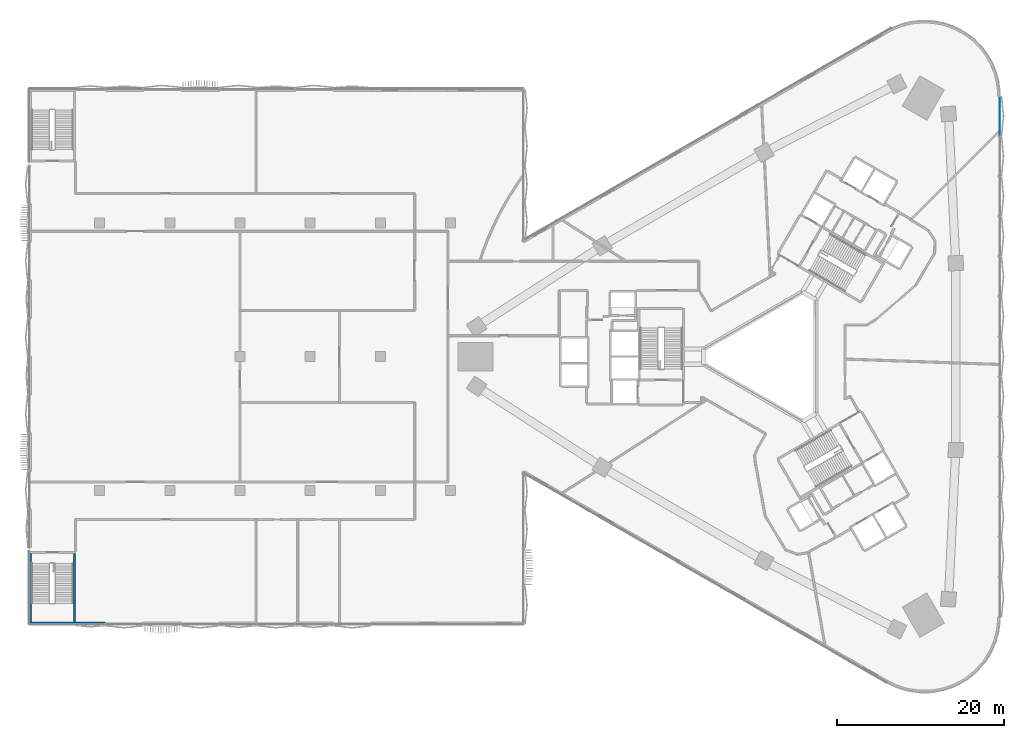
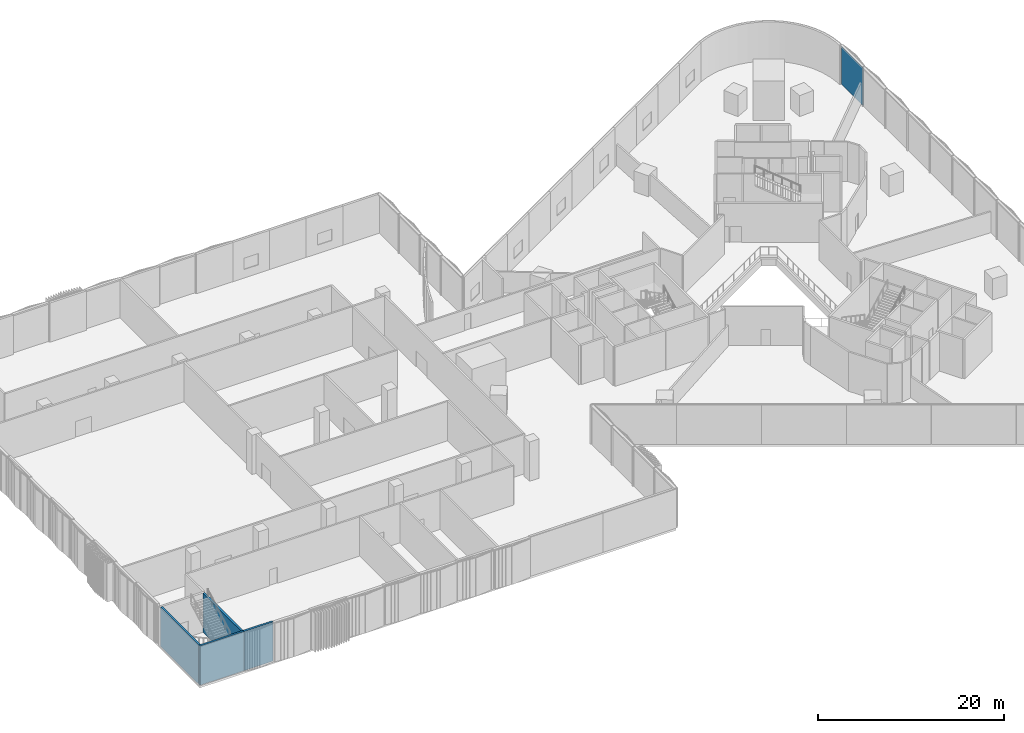
# One storey, part 11 of 31: 4 walls, 1 plate, 1 element without a shape of its own.
"""IFC4 building model written with IfcOpenShell, lengths in metres."""

from ifc_helpers import new_model, si_unit, direction, frame, frame_2d, origin, origin_2d, place, context, subcontext, project, spatial, rectangle, extrude, material, layer, layer_set, type_object, element, aggregate, save


model = new_model("IFC4")

# Units and contexts
model_context = context("Model", 3, precision=1e-05, world=origin(), true_north=direction((0.0, 1.0)))
body_context = subcontext(model_context, "Body", "Model", "MODEL_VIEW")
ifc_project = project(units=[si_unit("LENGTHUNIT", "METRE"), si_unit("AREAUNIT", "SQUARE_METRE"), si_unit("VOLUMEUNIT", "CUBIC_METRE"), si_unit("PLANEANGLEUNIT", "RADIAN"), si_unit("MASSUNIT", "GRAM", prefix="KILO")], contexts=[model_context])

# Site, building, storey
site_placement = place(None, origin())
site = spatial("IfcSite", under=ifc_project, at=site_placement, CompositionType="ELEMENT")
building_placement = place(site_placement, origin())
building = spatial("IfcBuilding", under=site, at=building_placement, Name="Tamra Quay Hotel Tower", CompositionType="ELEMENT")
storey_placement = place(building_placement, frame((0.0, 0.0, 14.0)))
storey = spatial("IfcBuildingStorey", under=building, at=storey_placement, Name="L02", CompositionType="ELEMENT", Elevation=14.0)

# Curtain wall, plate
ifc_material_1 = material(Name="Aluminium 6063 anodised dark grey", Category="aluminium")
curtain_wall_type = type_object("IfcCurtainWallType", Name="CW4 CURTAIN WALL", PredefinedType="NOTDEFINED", material=ifc_material_1)
curtain_wall_placement = place(storey_placement, origin())
curtain_wall = element("IfcCurtainWall", 1, at=curtain_wall_placement, inside=storey, type_object=curtain_wall_type, Name="CW4 east face L02", PredefinedType="NOTDEFINED")
ifc_material_2 = material(Name="Glass clear laminated low-iron", Category="glass")
ifc_layer_1 = layer(ifc_material_2, 0.0400390625)
ifc_layer_set_1 = layer_set([ifc_layer_1], Name="GLASS PANEL CW4")
plate_type = type_object("IfcPlateType", Name="GLASS PANEL CW4", PredefinedType="CURTAIN_PANEL", material=ifc_layer_set_1)
plate_placement = place(storey_placement, frame((27.0, 28.77880859375, 0.0), z_axis=(0.0, 0.0, 1.0), x_axis=(0.0, 1.0, 0.0)))
plate = element("IfcPlate", 2, at=plate_placement, type_object=plate_type, Name="CW4 glass L02.E.17", PredefinedType="CURTAIN_PANEL", context=body_context, shape_type="SweptSolid", body=[
    extrude(rectangle(XDim=4.676513671875, YDim=0.0400390625, at=origin_2d()), origin(), (0.0, 0.0, 1.0), 4.969970703125),
])
aggregate(curtain_wall, [plate])

# Walls
ifc_material_3 = material(Name="Concrete M70", Category="concrete")
ifc_layer_2 = layer(ifc_material_3, 0.199951171875)
ifc_layer_set_2 = layer_set([ifc_layer_2], Name="Concrete M70 core wall 200")
wall_type_1 = type_object("IfcWallType", Name="Concrete M70 core wall 200", PredefinedType="SHEAR", material=ifc_layer_set_2)
wall_1_placement = place(storey_placement, frame((-89.10009765625, -31.875, 0.0), z_axis=(0.0, 0.0, 1.0), x_axis=(1.0, 0.0, 0.0)))
element("IfcWall", 3, at=wall_1_placement, inside=storey, type_object=wall_type_1, Name="CW2", PredefinedType="SHEAR", context=body_context, shape_type="SweptSolid", body=[
    extrude(rectangle(XDim=5.5, YDim=0.25, at=frame_2d((2.75, 0.0))), origin(), (0.0, 0.0, 1.0), 5.14990234375),
])
for number, where, z_axis, x_axis, name in (
    (4, (-88.97509765625, -31.75, 0.0), (0.0, 0.0, 1.0), (0.0, 1.0, 0.0), "CW2"),
    (5, (-83.72509765625, -31.75, 0.0), (0.0, 0.0, 1.0), (0.0, 1.0, 0.0), "CW2"),
):
    element("IfcWall", number, at=place(storey_placement, frame(where, z_axis=z_axis, x_axis=x_axis)), inside=storey, type_object=wall_type_1, Name=name, PredefinedType="SHEAR", context=body_context, shape_type="SweptSolid", body=[
        extrude(rectangle(XDim=8.199951171875, YDim=0.25, at=frame_2d((4.10009765625, 0.0))), origin(), (0.0, 0.0, 1.0), 5.14990234375),
    ])
ifc_material_4 = material(Name="Blockwork masonry plastered", Category="masonry")
ifc_layer_3 = layer(ifc_material_4, 0.25)
ifc_layer_set_3 = layer_set([ifc_layer_3], Name="EXTERNAL WALL 250")
wall_type_2 = type_object("IfcWallType", Name="EXTERNAL WALL 250", PredefinedType="SOLIDWALL", material=ifc_layer_set_3)
wall_2_placement = place(storey_placement, frame((-80.0078125, -31.875, 0.0), z_axis=(0.0, 0.0, 1.0), x_axis=(-1.0, 0.0, 0.0)))
element("IfcWall", 6, at=wall_2_placement, inside=storey, type_object=wall_type_2, Name="EW1", PredefinedType="SOLIDWALL", context=body_context, shape_type="SweptSolid", body=[
    extrude(rectangle(XDim=3.59228515625, YDim=0.25, at=frame_2d((1.796142578125, 0.0))), origin(), (0.0, 0.0, 1.0), 5.14990234375),
])

save(model, "model.ifc")
